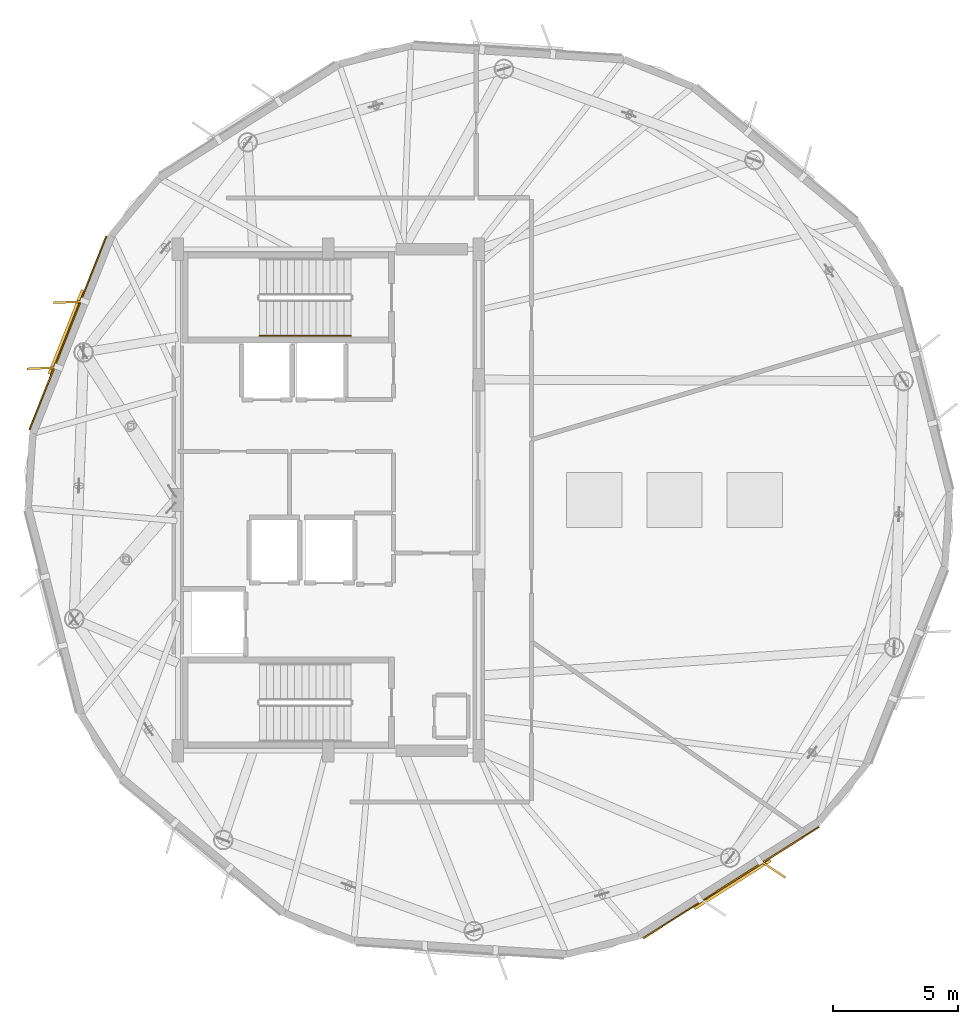
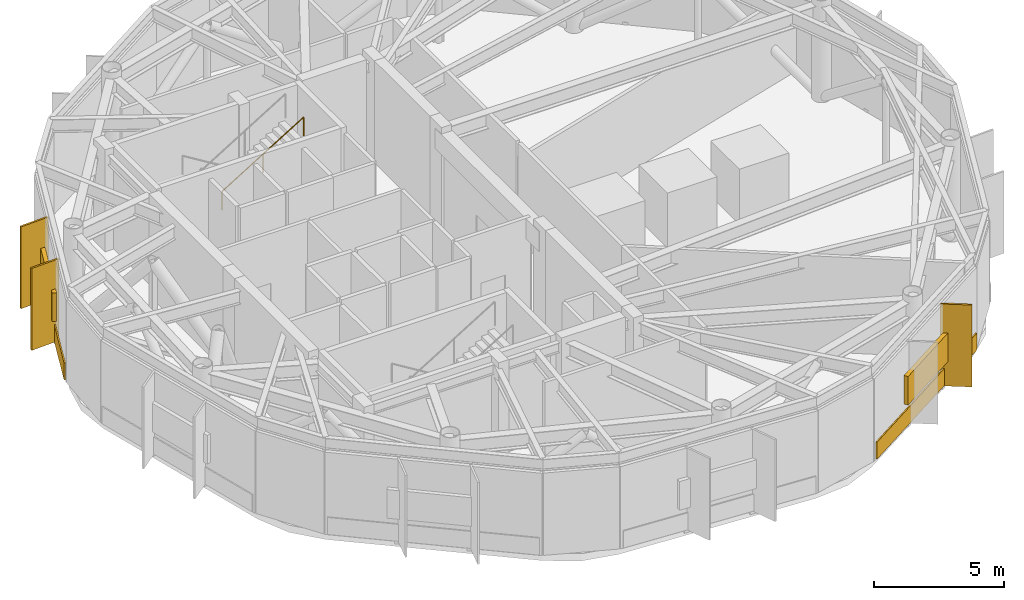
# One storey, part 12 of 14: 5 shading devices, 2 coverings, 1 railing.
"""IFC4 building model written with IfcOpenShell, lengths in metres."""

from ifc_helpers import new_model, si_unit, direction, frame, origin, origin_2d, place, context, subcontext, project, spatial, rectangle, circle, extrude, material, layer, layer_set, type_object, element, save


model = new_model("IFC4")

# Units and contexts
model_context = context("Model", 3, precision=1e-05, world=origin(), true_north=direction((0.0, 1.0)))
body_context = subcontext(model_context, "Body", "Model", "MODEL_VIEW")
ifc_project = project(units=[si_unit("LENGTHUNIT", "METRE"), si_unit("AREAUNIT", "SQUARE_METRE"), si_unit("VOLUMEUNIT", "CUBIC_METRE"), si_unit("PLANEANGLEUNIT", "RADIAN"), si_unit("MASSUNIT", "GRAM", prefix="KILO")], contexts=[model_context])

# Site, building, storey
site_placement = place(None, origin())
site = spatial("IfcSite", under=ifc_project, at=site_placement, CompositionType="ELEMENT")
building_placement = place(site_placement, origin())
building = spatial("IfcBuilding", under=site, at=building_placement, Name="Soratama Intermodal Tower", CompositionType="ELEMENT")
storey_placement = place(building_placement, frame((0.0, 0.0, 283.75)))
storey = spatial("IfcBuildingStorey", under=building, at=storey_placement, Name="L72", CompositionType="ELEMENT", Elevation=283.75)

# Coverings
ifc_material_1 = material(Name="Honed Andean limestone cladding", Category="masonry")
ifc_layer_1 = layer(ifc_material_1, 0.06005859375)
ifc_layer_set_1 = layer_set([ifc_layer_1], Name="Honed Andean limestone cladding")
covering_type = type_object("IfcCoveringType", Name="CV-STONE-CLAD", PredefinedType="CLADDING", material=ifc_layer_set_1)
for number, where, z_axis, x_axis, name in (
    (1, (28.219970703125, 31.6640625, 0.0498046875), (0.0, 0.0, 1.0), (-0.369098010319, -0.929390477022, 0.0), "L72 Stone Cladding F03"),
    (2, (54.658203125, 9.74560546875, 0.0498046875), (0.0, 0.0, 1.0), (0.844888578952, 0.534942323205, 0.0), "L72 Stone Cladding F07"),
):
    element("IfcCovering", number, at=place(storey_placement, frame(where, z_axis=z_axis, x_axis=x_axis)), inside=storey, type_object=covering_type, Name=name, PredefinedType="CLADDING", context=body_context, shape_type="SweptSolid", body=[
        extrude(rectangle(XDim=8.2998046875, YDim=0.06005859375, at=origin_2d()), origin(), (0.0, 0.0, 1.0), 0.800048828125),
    ])

# Railing
ifc_material_2 = material(Name="Brushed stainless steel handrail", Category="steel")
railing_type = type_object("IfcRailingType", Name="RL-STAIR-HAND", PredefinedType="HANDRAIL", material=ifc_material_2)
railing_placement = place(storey_placement, frame((35.860107421875, 31.550048828125, 2.571533203125)))
element("IfcRailing", 3, at=railing_placement, inside=storey, type_object=railing_type, Name="L72 ST-2 stair handrail 2", PredefinedType="HANDRAIL", context=body_context, shape_type="SweptSolid", body=[
    extrude(circle(Radius=0.02392578125, at=origin_2d()), frame((0.0, 0.0, 0.8759765625), z_axis=(0.852850264322, 0.0, 0.5221555579), x_axis=(0.0, 1.0, 0.0)), (0.0, 0.0, 1.0), 4.267822265625),
    extrude(circle(Radius=0.02099609375, at=origin_2d()), origin(), (0.0, 0.0, 1.0), 0.851806640625),
    extrude(circle(Radius=0.02099609375, at=origin_2d()), frame((1.81982421875, 0.0, 1.1142578125)), (0.0, 0.0, 1.0), 0.851806640625),
    extrude(circle(Radius=0.02099609375, at=origin_2d()), frame((3.639892578125, 0.0, 2.228515625)), (0.0, 0.0, 1.0), 0.851806640625),
])

# Shading devices
ifc_material_3 = material(Name="Champagne anodised aluminium solar fin", Category="aluminium")
ifc_layer_2 = layer(ifc_material_3, 0.080078125)
ifc_layer_set_2 = layer_set([ifc_layer_2], Name="Champagne anodised aluminium solar fin")
shading_device_type_1 = type_object("IfcShadingDeviceType", Name="SH-FIN-1250", PredefinedType="USERDEFINED", material=ifc_layer_set_2)
for number, where, z_axis, x_axis, name in (
    (4, (28.260986328125, 32.8896484375, 0.02001953125), (0.0, 0.0, 1.0), (-0.999166134343, -0.040829351979, 0.0), "L72 Solar Fin F03-1"),
    (5, (27.21533203125, 30.256591796875, 0.02001953125), (0.0, 0.0, 1.0), (-0.999166134343, -0.040829351979, 0.0), "L72 Solar Fin F03-2"),
    (6, (56.298583984375, 10.2939453125, 0.02001953125), (0.0, 0.0, 1.0), (0.832341273841, -0.554263478737, 0.0), "L72 Solar Fin F07-2"),
):
    element("IfcShadingDevice", number, at=place(storey_placement, frame(where, z_axis=z_axis, x_axis=x_axis)), inside=storey, type_object=shading_device_type_1, Name=name, ObjectType="FIN", PredefinedType="USERDEFINED", context=body_context, shape_type="SweptSolid", body=[
        extrude(rectangle(XDim=1.25, YDim=0.080078125, at=origin_2d()), origin(), (0.0, 0.0, 1.0), 3.85888671875),
    ])
ifc_material_4 = material(Name="Anodised aluminium weather louvre", Category="aluminium")
ifc_layer_3 = layer(ifc_material_4, 0.1201171875)
ifc_layer_set_3 = layer_set([ifc_layer_3], Name="Anodised aluminium weather louvre")
shading_device_type_2 = type_object("IfcShadingDeviceType", Name="SH-LOUVRE-PLANT", PredefinedType="JALOUSIE", material=ifc_layer_set_3)
for number, where, z_axis, x_axis, name in (
    (7, (28.164306640625, 31.68603515625, 1.175048828125), (0.0, 0.0, 1.0), (-0.369098010319, -0.929390477022, 0.0), "L72 Acoustic Louvre F03"),
    (8, (54.6904296875, 9.695068359375, 1.175048828125), (0.0, 0.0, 1.0), (0.844888578952, 0.534942323205, 0.0), "L72 Acoustic Louvre F07"),
):
    element("IfcShadingDevice", number, at=place(storey_placement, frame(where, z_axis=z_axis, x_axis=x_axis)), inside=storey, type_object=shading_device_type_2, Name=name, PredefinedType="JALOUSIE", context=body_context, shape_type="SweptSolid", body=[
        extrude(rectangle(XDim=3.60009765625, YDim=0.179931640625, at=origin_2d()), origin(), (0.0, 0.0, 1.0), 1.35009765625),
    ])

save(model, "model.ifc")
